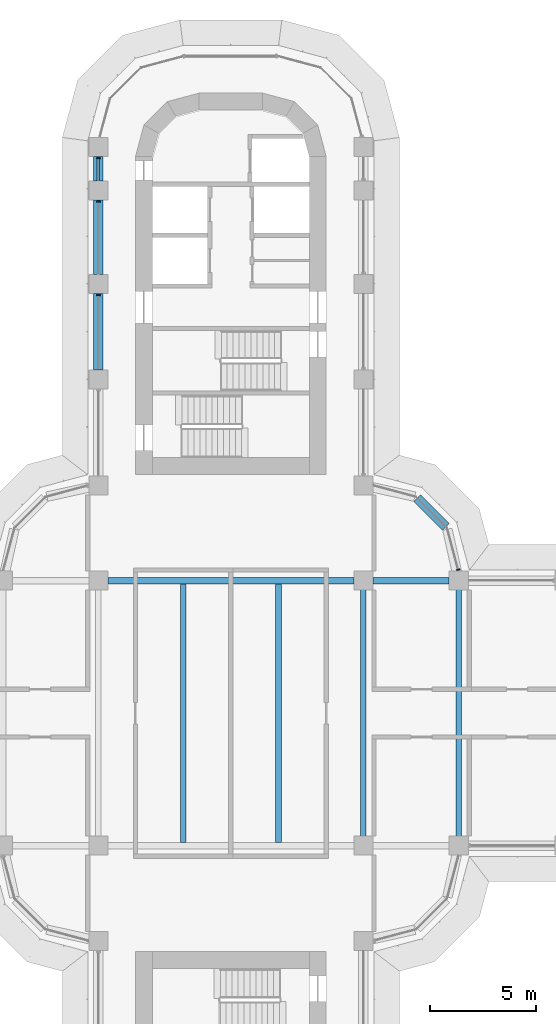
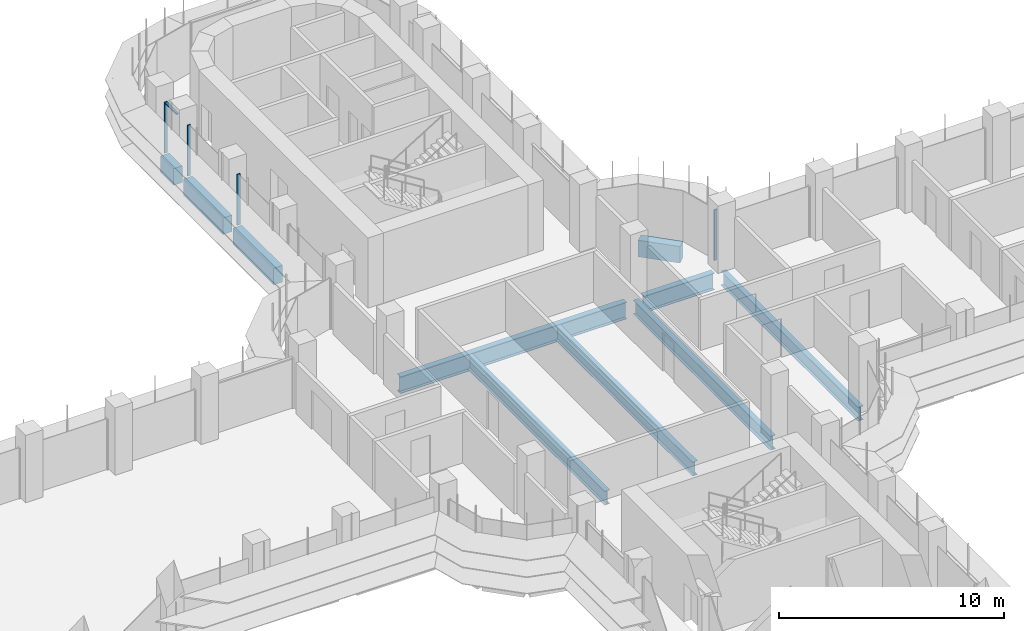
# One storey, part 7 of 21: 10 beams, 5 members, 2 elements without a shape of their own.
"""IFC4 building model written with IfcOpenShell, lengths in metres."""

from ifc_helpers import new_model, si_unit, direction, frame, origin, origin_2d, place, context, subcontext, project, spatial, polyline, rectangle, i_section, outline, extrude, source, transform, mapped, material, material_profile, profile_set, type_object, element, aggregate, save


model = new_model("IFC4")

# Units and contexts
model_context = context("Model", 3, precision=1e-05, world=origin(), true_north=direction((0.0, 1.0)))
body_context = subcontext(model_context, "Body", "Model", "MODEL_VIEW")
ifc_project = project(units=[si_unit("LENGTHUNIT", "METRE"), si_unit("AREAUNIT", "SQUARE_METRE"), si_unit("VOLUMEUNIT", "CUBIC_METRE"), si_unit("PLANEANGLEUNIT", "RADIAN"), si_unit("MASSUNIT", "GRAM", prefix="KILO")], contexts=[model_context])

# Site, building, storey
site_placement = place(None, origin())
site = spatial("IfcSite", under=ifc_project, at=site_placement, CompositionType="ELEMENT")
building_placement = place(site_placement, origin())
building = spatial("IfcBuilding", under=site, at=building_placement, Name="Zarbagh Exchange Tower", CompositionType="ELEMENT")
storey_placement = place(building_placement, frame((0.0, 0.0, 128.39990234375)))
storey = spatial("IfcBuildingStorey", under=building, at=storey_placement, Name="L30", CompositionType="ELEMENT", Elevation=128.39990234375)

# Beams
ifc_material_1 = material(Name="Steel ASTM A992 Gr 50", Category="steel")
ifc_material_profile_1 = material_profile(ifc_material_1, i_section(OverallWidth=0.2666015625, OverallDepth=0.7568359375, WebThickness=0.013916015625, FlangeThickness=0.019287109375, at=origin_2d()), Name="W30X108")
ifc_profile_set_1 = profile_set([ifc_material_profile_1], Name="Steel ASTM A992 Gr 50")
beam_type_1 = type_object("IfcBeamType", Name="Floor beam W30X108", PredefinedType="BEAM", material=ifc_profile_set_1)
for number, where, z_axis, x_axis, name in (
    (1, (-2.25, -6.09765625, -0.5283203125), (0.0, 1.0, 0.0), (-1.0, 0.0, 0.0), "Steel floor beam"),
    (2, (2.25, -6.09765625, -0.5283203125), (0.0, 1.0, 0.0), (-1.0, 0.0, 0.0), "Steel floor beam"),
    (3, (6.25, -6.09765625, -0.5283203125), (0.0, 1.0, 0.0), (-1.0, 0.0, 0.0), "Steel floor beam"),
    (4, (10.75, -6.09765625, -0.5283203125), (0.0, 1.0, 0.0), (-1.0, 0.0, 0.0), "Steel floor beam"),
):
    element("IfcBeam", number, at=place(storey_placement, frame(where, z_axis=z_axis, x_axis=x_axis)), inside=storey, type_object=beam_type_1, Name=name, PredefinedType="BEAM", context=body_context, shape_type="SweptSolid", body=[
        extrude(i_section(OverallWidth=0.2666015625, OverallDepth=0.7568359375, WebThickness=0.013916015625, FlangeThickness=0.019287109375, at=origin_2d()), origin(), (0.0, 0.0, 1.0), 12.1953125),
    ])
ifc_material_profile_2 = material_profile(ifc_material_1, i_section(OverallWidth=0.3046875, OverallDepth=0.911865234375, WebThickness=0.015869140625, FlangeThickness=0.02392578125, at=origin_2d()), Name="W36X150")
ifc_profile_set_2 = profile_set([ifc_material_profile_2], Name="Steel ASTM A992 Gr 50")
beam_type_2 = type_object("IfcBeamType", Name="Floor girder W36X150", PredefinedType="BEAM", material=ifc_profile_set_2)
beam_1_placement = place(storey_placement, frame((-5.800048828125, 6.25, -0.605712890625), z_axis=(1.0, 0.0, 0.0), x_axis=(0.0, 1.0, 0.0)))
element("IfcBeam", 5, at=beam_1_placement, inside=storey, type_object=beam_type_2, Name="Steel girder", PredefinedType="BEAM", context=body_context, shape_type="SweptSolid", body=[
    extrude(i_section(OverallWidth=0.3046875, OverallDepth=0.911865234375, WebThickness=0.015869140625, FlangeThickness=0.02392578125, at=origin_2d()), origin(), (0.0, 0.0, 1.0), 11.60009765625),
])
beam_2_placement = place(storey_placement, frame((6.699951171875, 6.25, -0.605712890625), z_axis=(1.0, 0.0, 0.0), x_axis=(0.0, 1.0, 0.0)))
element("IfcBeam", 6, at=beam_2_placement, inside=storey, type_object=beam_type_2, Name="Steel girder", PredefinedType="BEAM", context=body_context, shape_type="SweptSolid", body=[
    extrude(i_section(OverallWidth=0.3046875, OverallDepth=0.911865234375, WebThickness=0.015869140625, FlangeThickness=0.02392578125, at=origin_2d()), origin(), (0.0, 0.0, 1.0), 3.60009765625),
])
ifc_material_2 = material(Name="Concrete C60/75", Category="concrete")
ifc_material_profile_3 = material_profile(ifc_material_2, rectangle(XDim=0.449951171875, YDim=0.89990234375, at=origin_2d()), Name="RC spandrel beam 450 x 900 C60/75")
ifc_profile_set_3 = profile_set([ifc_material_profile_3], Name="Concrete C60/75")
beam_type_3 = type_object("IfcBeamType", Name="RC spandrel beam 450 x 900 C60/75", PredefinedType="SPANDREL", material=ifc_profile_set_3)
beam_3_placement = place(storey_placement, frame((-6.25, 16.199951171875, -0.599853515625), z_axis=(0.0, 1.0, 0.0), x_axis=(-1.0, 0.0, 0.0)))
element("IfcBeam", 7, at=beam_3_placement, inside=storey, type_object=beam_type_3, Name="RC spandrel beam", PredefinedType="SPANDREL", context=body_context, shape_type="SweptSolid", body=[
    extrude(rectangle(XDim=0.449951171875, YDim=0.89990234375, at=origin_2d()), origin(), (0.0, 0.0, 1.0), 3.60009765625),
])
beam_4_placement = place(storey_placement, frame((-6.25, 20.699951171875, -0.599853515625), z_axis=(0.0, 1.0, 0.0), x_axis=(-1.0, 0.0, 0.0)))
element("IfcBeam", 8, at=beam_4_placement, inside=storey, type_object=beam_type_3, Name="RC spandrel beam", PredefinedType="SPANDREL", context=body_context, shape_type="SweptSolid", body=[
    extrude(rectangle(XDim=0.449951171875, YDim=0.89990234375, at=origin_2d()), origin(), (0.0, 0.0, 1.0), 3.5),
])
beam_5_placement = place(storey_placement, frame((-6.25, 25.10009765625, -0.599853515625), z_axis=(0.0, 1.0, 0.0), x_axis=(-1.0, 0.0, 0.0)))
element("IfcBeam", 9, at=beam_5_placement, inside=storey, type_object=beam_type_3, Name="RC spandrel beam", PredefinedType="SPANDREL", context=body_context, shape_type="SweptSolid", body=[
    extrude(rectangle(XDim=0.449951171875, YDim=0.89990234375, at=origin_2d()), origin(), (0.0, 0.0, 1.0), 1.14990234375),
])
beam_6_placement = place(storey_placement, frame((8.78759765625, 10.15234375, -0.599853515625), z_axis=(0.707106781187, -0.707106781187, 0.0), x_axis=(0.707106781187, 0.707106781187, 0.0)))
element("IfcBeam", 10, at=beam_6_placement, inside=storey, type_object=beam_type_3, Name="RC spandrel beam", PredefinedType="SPANDREL", context=body_context, shape_type="SweptSolid", body=[
    extrude(rectangle(XDim=0.449951171875, YDim=0.89990234375, at=origin_2d()), origin(), (0.0, 0.0, 1.0), 1.929931640625),
])

# Curtain wall, member
ifc_material_3 = material(Name="Anodised aluminium frame and glazing", Category="aluminium")
curtain_wall_type = type_object("IfcCurtainWallType", Name="CWA Ribbon glazing, lower zones", PredefinedType="NOTDEFINED", material=ifc_material_3)
curtain_wall_1_placement = place(storey_placement, origin())
curtain_wall_1 = element("IfcCurtainWall", 11, at=curtain_wall_1_placement, inside=storey, type_object=curtain_wall_type, Name="CWA17 curtain wall", PredefinedType="NOTDEFINED")
ifc_material_4 = material(Name="Anodised aluminium frame", Category="aluminium")
member_type_1 = type_object("IfcMemberType", Name="MUA Mullion, anodised aluminium frame", PredefinedType="MULLION", material=ifc_material_4)
shared_shape_1 = source(origin(), body_context, "Body", "SweptSolid", [
    extrude(outline(polyline([(0.0, -0.080078125), (0.06005859375, -0.080078125), (0.06005859375, 0.080078125), (0.0, 0.080078125), (0.0, -0.080078125)])), origin(), (0.0, 0.0, 1.0), 2.75),
])
placement = place(storey_placement, origin())
member_1 = element("IfcMember", 12, at=placement, type_object=member_type_1, Name="CWA17 mullion 1.1", PredefinedType="MULLION", context=body_context, shape_type="MappedRepresentation", body=[
    mapped(shared_shape_1, transform((10.735107421875, 6.739990234375, 0.0), x_axis=(-0.258824779902, 0.965924289636, 0.0), y_axis=(-0.965924289636, -0.258824779902, 0.0), z_axis=(0.0, 0.0, 1.0))),
])
aggregate(curtain_wall_1, [member_1])

# Curtain wall, members
curtain_wall_2_placement = place(storey_placement, origin())
curtain_wall_2 = element("IfcCurtainWall", 13, at=curtain_wall_2_placement, inside=storey, type_object=curtain_wall_type, Name="CWA56 curtain wall", PredefinedType="NOTDEFINED")
member_2 = element("IfcMember", 14, at=placement, type_object=member_type_1, Name="CWA56 mullion 1.1", PredefinedType="MULLION", context=body_context, shape_type="MappedRepresentation", body=[
    mapped(shared_shape_1, transform((-6.25, 26.2099609375, 0.0), x_axis=(0.0, -1.0, 0.0), y_axis=(1.0, 0.0, 0.0), z_axis=(0.0, 0.0, 1.0))),
])
member_3 = element("IfcMember", 15, at=placement, type_object=member_type_1, Name="CWA56 mullion 2.1", PredefinedType="MULLION", context=body_context, shape_type="MappedRepresentation", body=[
    mapped(shared_shape_1, transform((-6.25, 24.159912109375, 0.0), x_axis=(0.0, -1.0, 0.0), y_axis=(1.0, 0.0, 0.0), z_axis=(0.0, 0.0, 1.0))),
])
member_4 = element("IfcMember", 16, at=placement, type_object=member_type_1, Name="CWA56 mullion 3.1", PredefinedType="MULLION", context=body_context, shape_type="MappedRepresentation", body=[
    mapped(shared_shape_1, transform((-6.25, 19.760009765625, 0.0), x_axis=(0.0, -1.0, 0.0), y_axis=(1.0, 0.0, 0.0), z_axis=(0.0, 0.0, 1.0))),
])
member_type_2 = type_object("IfcMemberType", Name="TRA Transom, anodised aluminium frame", PredefinedType="USERDEFINED", material=ifc_material_4)
shared_shape_2 = source(origin(), body_context, "Body", "SweptSolid", [
    extrude(outline(polyline([(-0.06005859375, -0.06005859375), (0.0, -0.06005859375), (0.0, 0.06005859375), (-0.06005859375, 0.06005859375), (-0.06005859375, -0.06005859375)])), origin(), (0.0, 0.0, 1.0), 1.010009765625),
])
member_5 = element("IfcMember", 17, at=placement, type_object=member_type_2, Name="CWA56 transom 1.1", ObjectType="TRANSOM", PredefinedType="USERDEFINED", context=body_context, shape_type="MappedRepresentation", body=[
    mapped(shared_shape_2, transform((-6.25, 26.14990234375, 2.75), x_axis=(0.0, 0.0, 1.0), y_axis=(-1.0, 0.0, 0.0), z_axis=(0.0, -1.0, 0.0))),
])
aggregate(curtain_wall_2, [member_2, member_5, member_3, member_4])

save(model, "model.ifc")
